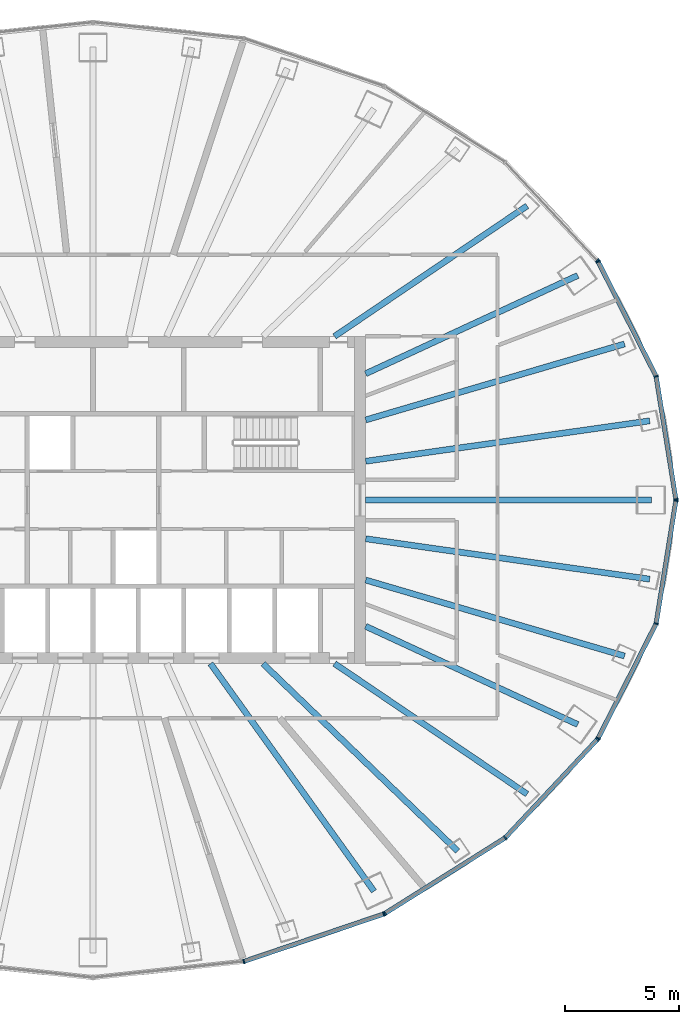
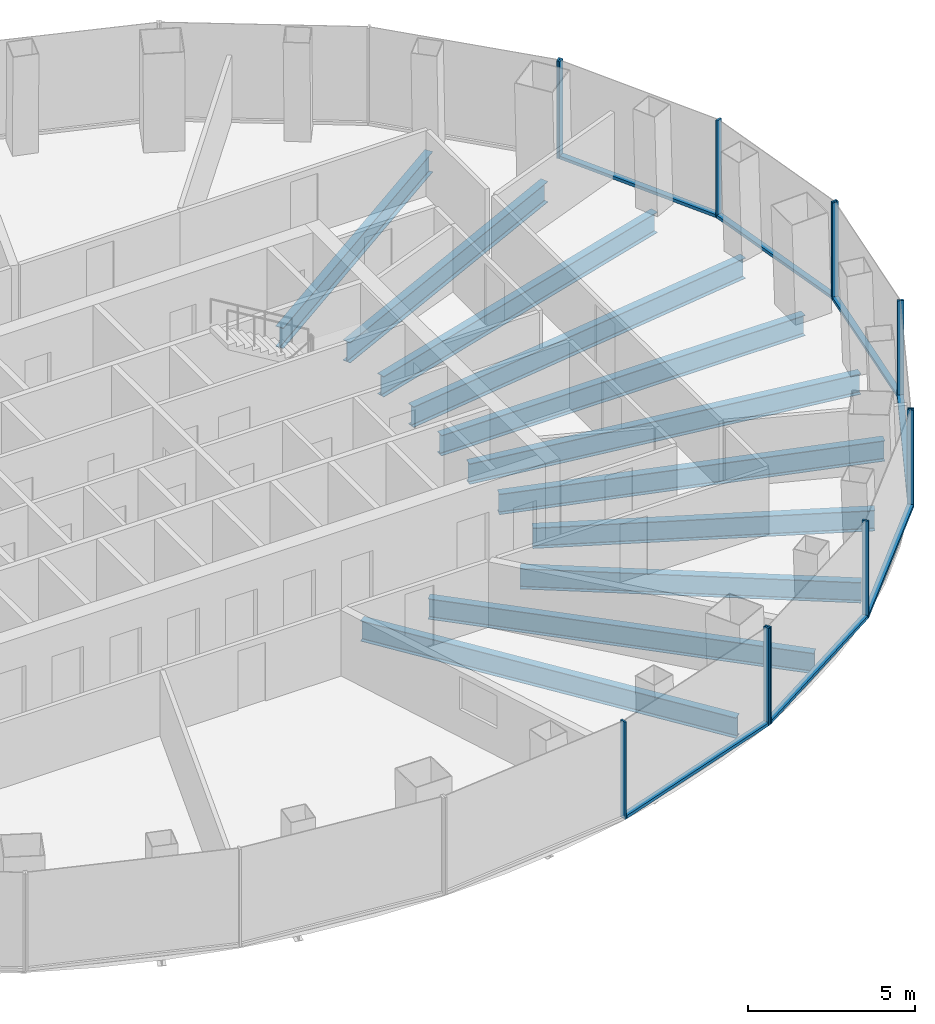
# One storey, part 4 of 12: 19 members, 11 beams, 5 elements without a shape of their own.
"""IFC4 building model written with IfcOpenShell, lengths in metres."""

from ifc_helpers import new_model, si_unit, direction, frame, origin, origin_2d, place, context, subcontext, project, spatial, rectangle, i_section, extrude, material, layer, layer_set, material_profile, profile_set, type_object, element, aggregate, save


model = new_model("IFC4")

# Units and contexts
model_context = context("Model", 3, precision=1e-05, world=origin(), true_north=direction((0.0, 1.0)))
body_context = subcontext(model_context, "Body", "Model", "MODEL_VIEW")
ifc_project = project(units=[si_unit("LENGTHUNIT", "METRE"), si_unit("AREAUNIT", "SQUARE_METRE"), si_unit("VOLUMEUNIT", "CUBIC_METRE"), si_unit("PLANEANGLEUNIT", "RADIAN"), si_unit("MASSUNIT", "GRAM", prefix="KILO")], contexts=[model_context])

# Site, building, storey
site_placement = place(None, origin())
site = spatial("IfcSite", under=ifc_project, at=site_placement, CompositionType="ELEMENT")
building_placement = place(site_placement, origin())
building = spatial("IfcBuilding", under=site, at=building_placement, Name="Siaravel Broadcast Tower", CompositionType="ELEMENT")
storey_placement = place(building_placement, frame((0.0, 0.0, 111.89990234375)))
storey = spatial("IfcBuildingStorey", under=building, at=storey_placement, Name="L26", CompositionType="ELEMENT", Elevation=111.89990234375)

# Beams
ifc_material_1 = material(Name="Steel S355", Category="steel")
ifc_material_profile_1 = material_profile(ifc_material_1, i_section(OverallWidth=0.26513671875, OverallDepth=0.75390625, WebThickness=0.0126953125, FlangeThickness=0.017578125, FilletRadius=0.0166015625, at=origin_2d()))
ifc_profile_set_1 = profile_set([ifc_material_profile_1], Name="Steel S355")
beam_type = type_object("IfcBeamType", Name="BM-UB 762x267x147", PredefinedType="BEAM", material=ifc_profile_set_1)
beam_1_placement = place(storey_placement, frame((24.5693359375, 0.0, -0.52685546875), z_axis=(-1.0, 0.0, 0.0), x_axis=(0.0, -1.0, 0.0)))
element("IfcBeam", 1, at=beam_1_placement, inside=storey, type_object=beam_type, Name="Radial beam RB01", PredefinedType="BEAM", context=body_context, shape_type="SweptSolid", body=[
    extrude(i_section(OverallWidth=0.26513671875, OverallDepth=0.75390625, WebThickness=0.0126953125, FlangeThickness=0.017578125, FilletRadius=0.0166015625, at=origin_2d()), origin(), (0.0, 0.0, 1.0), 12.5693359375),
])
beam_2_placement = place(storey_placement, frame((24.497314453125, 3.48291015625, -0.52685546875), z_axis=(-0.990043272, -0.140763346, 0.0), x_axis=(0.140763346, -0.990043272, 0.0)))
element("IfcBeam", 2, at=beam_2_placement, inside=storey, type_object=beam_type, Name="Radial beam RB02", PredefinedType="BEAM", context=body_context, shape_type="SweptSolid", body=[
    extrude(i_section(OverallWidth=0.26513671875, OverallDepth=0.75390625, WebThickness=0.0126953125, FlangeThickness=0.017578125, FilletRadius=0.0166015625, at=origin_2d()), origin(), (0.0, 0.0, 1.0), 12.623046875),
])
beam_3_placement = place(storey_placement, frame((23.39013671875, 6.866455078125, -0.52685546875), z_axis=(-0.959508819, -0.281678587, 0.0), x_axis=(0.281678587, -0.959508819, 0.0)))
element("IfcBeam", 3, at=beam_3_placement, inside=storey, type_object=beam_type, Name="Radial beam RB03", PredefinedType="BEAM", context=body_context, shape_type="SweptSolid", body=[
    extrude(i_section(OverallWidth=0.26513671875, OverallDepth=0.75390625, WebThickness=0.0126953125, FlangeThickness=0.017578125, FilletRadius=0.0166015625, at=origin_2d()), origin(), (0.0, 0.0, 1.0), 11.870849609375),
])
beam_4_placement = place(storey_placement, frame((21.331298828125, 9.87939453125, -0.52685546875), z_axis=(-0.9074027, -0.420262227, 0.0), x_axis=(0.420262227, -0.9074027, 0.0)))
element("IfcBeam", 4, at=beam_4_placement, inside=storey, type_object=beam_type, Name="Radial beam RB04", PredefinedType="BEAM", context=body_context, shape_type="SweptSolid", body=[
    extrude(i_section(OverallWidth=0.26513671875, OverallDepth=0.75390625, WebThickness=0.0126953125, FlangeThickness=0.017578125, FilletRadius=0.0166015625, at=origin_2d()), origin(), (0.0, 0.0, 1.0), 10.283447265625),
])
beam_5_placement = place(storey_placement, frame((19.10498046875, 12.94287109375, -0.52685546875), z_axis=(-0.827900476, -0.560875033, 0.0), x_axis=(0.560875033, -0.827900476, 0.0)))
element("IfcBeam", 5, at=beam_5_placement, inside=storey, type_object=beam_type, Name="Radial beam RB05", PredefinedType="BEAM", context=body_context, shape_type="SweptSolid", body=[
    extrude(i_section(OverallWidth=0.26513671875, OverallDepth=0.75390625, WebThickness=0.0126953125, FlangeThickness=0.017578125, FilletRadius=0.0166015625, at=origin_2d()), origin(), (0.0, 0.0, 1.0), 10.2392578125),
])
beam_6_placement = place(storey_placement, frame((12.364501953125, -17.214599609375, -0.52685546875), z_axis=(-0.583373273, 0.812204177, 0.0), x_axis=(-0.812204177, -0.583373273, 0.0)))
element("IfcBeam", 6, at=beam_6_placement, inside=storey, type_object=beam_type, Name="Radial beam RB31", PredefinedType="BEAM", context=body_context, shape_type="SweptSolid", body=[
    extrude(i_section(OverallWidth=0.26513671875, OverallDepth=0.75390625, WebThickness=0.0126953125, FlangeThickness=0.017578125, FilletRadius=0.0166015625, at=origin_2d()), origin(), (0.0, 0.0, 1.0), 12.330322265625),
])
beam_7_placement = place(storey_placement, frame((16.046875, -15.447509765625, -0.52685546875), z_axis=(-0.720435694, 0.693521745, 0.0), x_axis=(-0.693521745, -0.720435694, 0.0)))
element("IfcBeam", 7, at=beam_7_placement, inside=storey, type_object=beam_type, Name="Radial beam RB32", PredefinedType="BEAM", context=body_context, shape_type="SweptSolid", body=[
    extrude(i_section(OverallWidth=0.26513671875, OverallDepth=0.75390625, WebThickness=0.0126953125, FlangeThickness=0.017578125, FilletRadius=0.0166015625, at=origin_2d()), origin(), (0.0, 0.0, 1.0), 11.892333984375),
])
beam_8_placement = place(storey_placement, frame((19.10498046875, -12.94287109375, -0.52685546875), z_axis=(-0.827900476, 0.560875033, 0.0), x_axis=(-0.560875033, -0.827900476, 0.0)))
element("IfcBeam", 8, at=beam_8_placement, inside=storey, type_object=beam_type, Name="Radial beam RB33", PredefinedType="BEAM", context=body_context, shape_type="SweptSolid", body=[
    extrude(i_section(OverallWidth=0.26513671875, OverallDepth=0.75390625, WebThickness=0.0126953125, FlangeThickness=0.017578125, FilletRadius=0.0166015625, at=origin_2d()), origin(), (0.0, 0.0, 1.0), 10.2392578125),
])
beam_9_placement = place(storey_placement, frame((21.331298828125, -9.87939453125, -0.52685546875), z_axis=(-0.9074027, 0.420262227, 0.0), x_axis=(-0.420262227, -0.9074027, 0.0)))
element("IfcBeam", 9, at=beam_9_placement, inside=storey, type_object=beam_type, Name="Radial beam RB34", PredefinedType="BEAM", context=body_context, shape_type="SweptSolid", body=[
    extrude(i_section(OverallWidth=0.26513671875, OverallDepth=0.75390625, WebThickness=0.0126953125, FlangeThickness=0.017578125, FilletRadius=0.0166015625, at=origin_2d()), origin(), (0.0, 0.0, 1.0), 10.283447265625),
])
beam_10_placement = place(storey_placement, frame((23.39013671875, -6.866455078125, -0.52685546875), z_axis=(-0.959508819, 0.281678587, 0.0), x_axis=(-0.281678587, -0.959508819, 0.0)))
element("IfcBeam", 10, at=beam_10_placement, inside=storey, type_object=beam_type, Name="Radial beam RB35", PredefinedType="BEAM", context=body_context, shape_type="SweptSolid", body=[
    extrude(i_section(OverallWidth=0.26513671875, OverallDepth=0.75390625, WebThickness=0.0126953125, FlangeThickness=0.017578125, FilletRadius=0.0166015625, at=origin_2d()), origin(), (0.0, 0.0, 1.0), 11.870849609375),
])
beam_11_placement = place(storey_placement, frame((24.497314453125, -3.48291015625, -0.52685546875), z_axis=(-0.990043272, 0.140763346, 0.0), x_axis=(-0.140763346, -0.990043272, 0.0)))
element("IfcBeam", 11, at=beam_11_placement, inside=storey, type_object=beam_type, Name="Radial beam RB36", PredefinedType="BEAM", context=body_context, shape_type="SweptSolid", body=[
    extrude(i_section(OverallWidth=0.26513671875, OverallDepth=0.75390625, WebThickness=0.0126953125, FlangeThickness=0.017578125, FilletRadius=0.0166015625, at=origin_2d()), origin(), (0.0, 0.0, 1.0), 12.623046875),
])

# Curtain wall, members
ifc_material_2 = material(Name="Aluminium 6063-T6", Category="aluminium")
ifc_layer = layer(ifc_material_2, 0.199951171875)
ifc_layer_set = layer_set([ifc_layer], Name="Aluminium 6063-T6")
curtain_wall_type = type_object("IfcCurtainWallType", Name="Unitised curtain wall, zone 2", PredefinedType="NOTDEFINED", material=ifc_layer_set)
curtain_wall_1_placement = place(storey_placement, origin())
curtain_wall_1 = element("IfcCurtainWall", 12, at=curtain_wall_1_placement, inside=storey, type_object=curtain_wall_type, Name="L26 Unitised curtain wall, zone 2 01", PredefinedType="NOTDEFINED")
ifc_material_profile_2 = material_profile(ifc_material_2, rectangle(XDim=0.199951171875, YDim=0.06494140625, at=origin_2d()))
ifc_profile_set_2 = profile_set([ifc_material_profile_2], Name="Aluminium 6063-T6")
member_type_1 = type_object("IfcMemberType", Name="CW-Z2 mullion", PredefinedType="MULLION", material=ifc_profile_set_2)
member_1_placement = place(storey_placement, frame((25.650146484375, 0.031982421875, 0.0), z_axis=(0.0, 0.0, 1.0), x_axis=(-0.987329151, -0.158685687, 0.0)))
member_1 = element("IfcMember", 13, at=member_1_placement, type_object=member_type_1, Name="CW-Z2 mullion 1", PredefinedType="MULLION", context=body_context, shape_type="SweptSolid", body=[
    extrude(rectangle(XDim=0.199951171875, YDim=0.06494140625, at=origin_2d()), origin(), (0.0, 0.0, 1.0), 3.550048828125),
])
member_2_placement = place(storey_placement, frame((24.7802734375, 5.44384765625, 0.0), z_axis=(0.0, 0.0, 1.0), x_axis=(-0.951177123, -0.308645559, 0.0)))
member_2 = element("IfcMember", 14, at=member_2_placement, type_object=member_type_1, Name="CW-Z2 mullion 2", PredefinedType="MULLION", context=body_context, shape_type="SweptSolid", body=[
    extrude(rectangle(XDim=0.199951171875, YDim=0.06494140625, at=origin_2d()), origin(), (0.0, 0.0, 1.0), 3.550048828125),
])
member_3_placement = place(storey_placement, frame((22.23046875, 10.486572265625, 0.0), z_axis=(0.0, 0.0, 1.0), x_axis=(-0.892391899, -0.451261231, 0.0)))
member_3 = element("IfcMember", 15, at=member_3_placement, type_object=member_type_1, Name="CW-Z2 mullion 3", PredefinedType="MULLION", context=body_context, shape_type="SweptSolid", body=[
    extrude(rectangle(XDim=0.199951171875, YDim=0.06494140625, at=origin_2d()), origin(), (0.0, 0.0, 1.0), 3.550048828125),
])

# Curtain wall, member
curtain_wall_2_placement = place(storey_placement, origin())
curtain_wall_2 = element("IfcCurtainWall", 16, at=curtain_wall_2_placement, inside=storey, type_object=curtain_wall_type, Name="L26 Unitised curtain wall, zone 2 02", PredefinedType="NOTDEFINED")
member_4_placement = place(storey_placement, frame((22.193603515625, 10.539306640625, 0.0), z_axis=(0.0, 0.0, 1.0), x_axis=(-0.729804977, -0.683655392, 0.0)))
member_4 = element("IfcMember", 17, at=member_4_placement, type_object=member_type_1, Name="CW-Z2 mullion 1", PredefinedType="MULLION", context=body_context, shape_type="SweptSolid", body=[
    extrude(rectangle(XDim=0.199951171875, YDim=0.06494140625, at=origin_2d()), origin(), (0.0, 0.0, 1.0), 3.550048828125),
])
aggregate(curtain_wall_2, [member_4])

# Curtain wall, members
curtain_wall_3_placement = place(storey_placement, origin())
curtain_wall_3 = element("IfcCurtainWall", 18, at=curtain_wall_3_placement, inside=storey, type_object=curtain_wall_type, Name="L26 Unitised curtain wall, zone 2 10", PredefinedType="NOTDEFINED")
member_5_placement = place(storey_placement, frame((6.637939453125, -20.307861328125, 0.0), z_axis=(0.0, 0.0, 1.0), x_axis=(-0.215557996, 0.97649104, 0.0)))
member_5 = element("IfcMember", 19, at=member_5_placement, type_object=member_type_1, Name="CW-Z2 mullion 2", PredefinedType="MULLION", context=body_context, shape_type="SweptSolid", body=[
    extrude(rectangle(XDim=0.199951171875, YDim=0.06494140625, at=origin_2d()), origin(), (0.0, 0.0, 1.0), 3.550048828125),
])
member_6_placement = place(storey_placement, frame((12.793212890625, -18.21923828125, 0.0), z_axis=(0.0, 0.0, 1.0), x_axis=(-0.321300513, 0.946977286, 0.0)))
member_6 = element("IfcMember", 20, at=member_6_placement, type_object=member_type_1, Name="CW-Z2 mullion 3", PredefinedType="MULLION", context=body_context, shape_type="SweptSolid", body=[
    extrude(rectangle(XDim=0.199951171875, YDim=0.06494140625, at=origin_2d()), origin(), (0.0, 0.0, 1.0), 3.550048828125),
])

curtain_wall_4_placement = place(storey_placement, origin())
curtain_wall_4 = element("IfcCurtainWall", 21, at=curtain_wall_4_placement, inside=storey, type_object=curtain_wall_type, Name="L26 Unitised curtain wall, zone 2 11", PredefinedType="NOTDEFINED")
member_7_placement = place(storey_placement, frame((12.8515625, -18.191650390625, 0.0), z_axis=(0.0, 0.0, 1.0), x_axis=(-0.532149019, 0.846650708, 0.0)))
member_7 = element("IfcMember", 22, at=member_7_placement, type_object=member_type_1, Name="CW-Z2 mullion 1", PredefinedType="MULLION", context=body_context, shape_type="SweptSolid", body=[
    extrude(rectangle(XDim=0.199951171875, YDim=0.06494140625, at=origin_2d()), origin(), (0.0, 0.0, 1.0), 3.550048828125),
])
member_8_placement = place(storey_placement, frame((18.137451171875, -14.869384765625, 0.0), z_axis=(0.0, 0.0, 1.0), x_axis=(-0.63621839, 0.771509015, 0.0)))
member_8 = element("IfcMember", 23, at=member_8_placement, type_object=member_type_1, Name="CW-Z2 mullion 2", PredefinedType="MULLION", context=body_context, shape_type="SweptSolid", body=[
    extrude(rectangle(XDim=0.199951171875, YDim=0.06494140625, at=origin_2d()), origin(), (0.0, 0.0, 1.0), 3.550048828125),
])
member_9_placement = place(storey_placement, frame((22.193603515625, -10.539306640625, 0.0), z_axis=(0.0, 0.0, 1.0), x_axis=(-0.729804977, 0.683655392, 0.0)))
member_9 = element("IfcMember", 24, at=member_9_placement, type_object=member_type_1, Name="CW-Z2 mullion 3", PredefinedType="MULLION", context=body_context, shape_type="SweptSolid", body=[
    extrude(rectangle(XDim=0.199951171875, YDim=0.06494140625, at=origin_2d()), origin(), (0.0, 0.0, 1.0), 3.550048828125),
])

curtain_wall_5_placement = place(storey_placement, origin())
curtain_wall_5 = element("IfcCurtainWall", 25, at=curtain_wall_5_placement, inside=storey, type_object=curtain_wall_type, Name="L26 Unitised curtain wall, zone 2 12", PredefinedType="NOTDEFINED")
member_10_placement = place(storey_placement, frame((22.23046875, -10.486572265625, 0.0), z_axis=(0.0, 0.0, 1.0), x_axis=(-0.892391899, 0.451261231, 0.0)))
member_10 = element("IfcMember", 26, at=member_10_placement, type_object=member_type_1, Name="CW-Z2 mullion 1", PredefinedType="MULLION", context=body_context, shape_type="SweptSolid", body=[
    extrude(rectangle(XDim=0.199951171875, YDim=0.06494140625, at=origin_2d()), origin(), (0.0, 0.0, 1.0), 3.550048828125),
])
member_11_placement = place(storey_placement, frame((24.7802734375, -5.44384765625, 0.0), z_axis=(0.0, 0.0, 1.0), x_axis=(-0.951177123, 0.308645559, 0.0)))
member_11 = element("IfcMember", 27, at=member_11_placement, type_object=member_type_1, Name="CW-Z2 mullion 2", PredefinedType="MULLION", context=body_context, shape_type="SweptSolid", body=[
    extrude(rectangle(XDim=0.199951171875, YDim=0.06494140625, at=origin_2d()), origin(), (0.0, 0.0, 1.0), 3.550048828125),
])
member_12_placement = place(storey_placement, frame((25.650146484375, -0.031982421875, 0.0), z_axis=(0.0, 0.0, 1.0), x_axis=(-0.987329151, 0.158685687, 0.0)))
member_12 = element("IfcMember", 28, at=member_12_placement, type_object=member_type_1, Name="CW-Z2 mullion 3", PredefinedType="MULLION", context=body_context, shape_type="SweptSolid", body=[
    extrude(rectangle(XDim=0.199951171875, YDim=0.06494140625, at=origin_2d()), origin(), (0.0, 0.0, 1.0), 3.550048828125),
])

# Member
ifc_material_profile_3 = material_profile(ifc_material_2, rectangle(XDim=0.199951171875, YDim=0.110107421875, at=origin_2d()))
ifc_profile_set_3 = profile_set([ifc_material_profile_3], Name="Aluminium 6063-T6")
member_type_2 = type_object("IfcMemberType", Name="CW-Z2 transom", PredefinedType="USERDEFINED", material=ifc_profile_set_3)
member_13_placement = place(storey_placement, frame((25.64501953125, 0.064208984375, 0.05517578125), z_axis=(-0.158709481, 0.987325327, 0.0), x_axis=(-0.987325327, -0.158709481, 0.0)))
member_13 = element("IfcMember", 29, at=member_13_placement, type_object=member_type_2, Name="CW-Z2 transom 1", ObjectType="TRANSOM", PredefinedType="USERDEFINED", context=body_context, shape_type="SweptSolid", body=[
    extrude(rectangle(XDim=0.199951171875, YDim=0.110107421875, at=origin_2d()), origin(), (0.0, 0.0, 1.0), 5.416259765625),
])

member_14_placement = place(storey_placement, frame((24.765625, 5.472900390625, 0.05517578125), z_axis=(-0.451247712, 0.892398735, 0.0), x_axis=(-0.892398735, -0.451247712, 0.0)))
member_14 = element("IfcMember", 30, at=member_14_placement, type_object=member_type_2, Name="CW-Z2 transom 2", ObjectType="TRANSOM", PredefinedType="USERDEFINED", context=body_context, shape_type="SweptSolid", body=[
    extrude(rectangle(XDim=0.199951171875, YDim=0.110107421875, at=origin_2d()), origin(), (0.0, 0.0, 1.0), 5.585693359375),
])

aggregate(curtain_wall_1, [member_1, member_2, member_3, member_13, member_14])

member_15_placement = place(storey_placement, frame((6.668701171875, -20.29736328125, 0.05517578125), z_axis=(0.946973753, 0.321310926, 0.0), x_axis=(-0.321310926, 0.946973753, 0.0)))
member_15 = element("IfcMember", 31, at=member_15_placement, type_object=member_type_2, Name="CW-Z2 transom 2", ObjectType="TRANSOM", PredefinedType="USERDEFINED", context=body_context, shape_type="SweptSolid", body=[
    extrude(rectangle(XDim=0.199951171875, YDim=0.110107421875, at=origin_2d()), origin(), (0.0, 0.0, 1.0), 6.43505859375),
])

aggregate(curtain_wall_3, [member_5, member_6, member_15])

member_16_placement = place(storey_placement, frame((12.879150390625, -18.17431640625, 0.05517578125), z_axis=(0.846639093, 0.532167499, 0.0), x_axis=(-0.532167499, 0.846639093, 0.0)))
member_16 = element("IfcMember", 32, at=member_16_placement, type_object=member_type_2, Name="CW-Z2 transom 1", ObjectType="TRANSOM", PredefinedType="USERDEFINED", context=body_context, shape_type="SweptSolid", body=[
    extrude(rectangle(XDim=0.199951171875, YDim=0.110107421875, at=origin_2d()), origin(), (0.0, 0.0, 1.0), 6.17822265625),
])

member_17_placement = place(storey_placement, frame((18.15966796875, -14.845458984375, 0.05517578125), z_axis=(0.683660134, 0.729800536, 0.0), x_axis=(-0.729800536, 0.683660134, 0.0)))
member_17 = element("IfcMember", 33, at=member_17_placement, type_object=member_type_2, Name="CW-Z2 transom 2", ObjectType="TRANSOM", PredefinedType="USERDEFINED", context=body_context, shape_type="SweptSolid", body=[
    extrude(rectangle(XDim=0.199951171875, YDim=0.110107421875, at=origin_2d()), origin(), (0.0, 0.0, 1.0), 5.867919921875),
])

aggregate(curtain_wall_4, [member_7, member_8, member_9, member_16, member_17])

member_18_placement = place(storey_placement, frame((22.2451171875, -10.45751953125, 0.05517578125), z_axis=(0.451247712, 0.892398735, 0.0), x_axis=(-0.892398735, 0.451247712, 0.0)))
member_18 = element("IfcMember", 34, at=member_18_placement, type_object=member_type_2, Name="CW-Z2 transom 1", ObjectType="TRANSOM", PredefinedType="USERDEFINED", context=body_context, shape_type="SweptSolid", body=[
    extrude(rectangle(XDim=0.199951171875, YDim=0.110107421875, at=origin_2d()), origin(), (0.0, 0.0, 1.0), 5.585693359375),
])

member_19_placement = place(storey_placement, frame((24.785400390625, -5.411865234375, 0.05517578125), z_axis=(0.158709481, 0.987325327, 0.0), x_axis=(-0.987325327, 0.158709481, 0.0)))
member_19 = element("IfcMember", 35, at=member_19_placement, type_object=member_type_2, Name="CW-Z2 transom 2", ObjectType="TRANSOM", PredefinedType="USERDEFINED", context=body_context, shape_type="SweptSolid", body=[
    extrude(rectangle(XDim=0.199951171875, YDim=0.110107421875, at=origin_2d()), origin(), (0.0, 0.0, 1.0), 5.416259765625),
])

aggregate(curtain_wall_5, [member_10, member_11, member_12, member_18, member_19])

save(model, "model.ifc")
